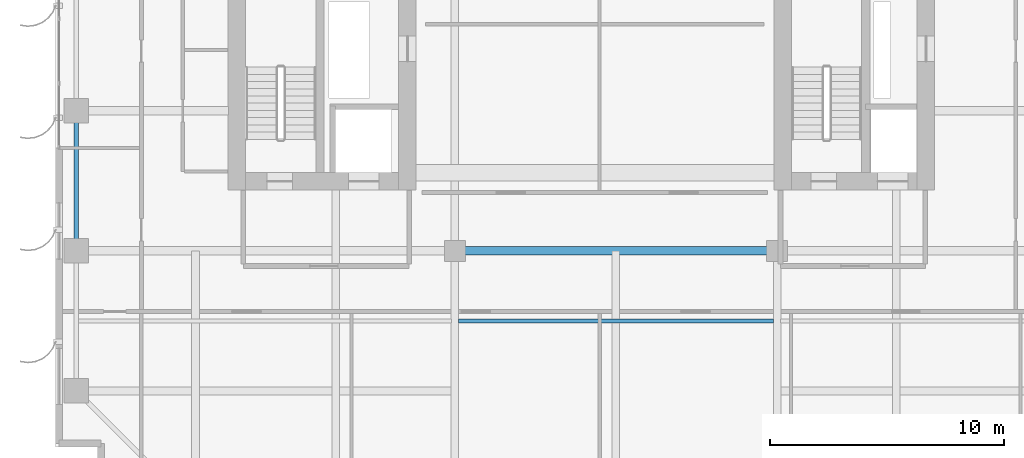
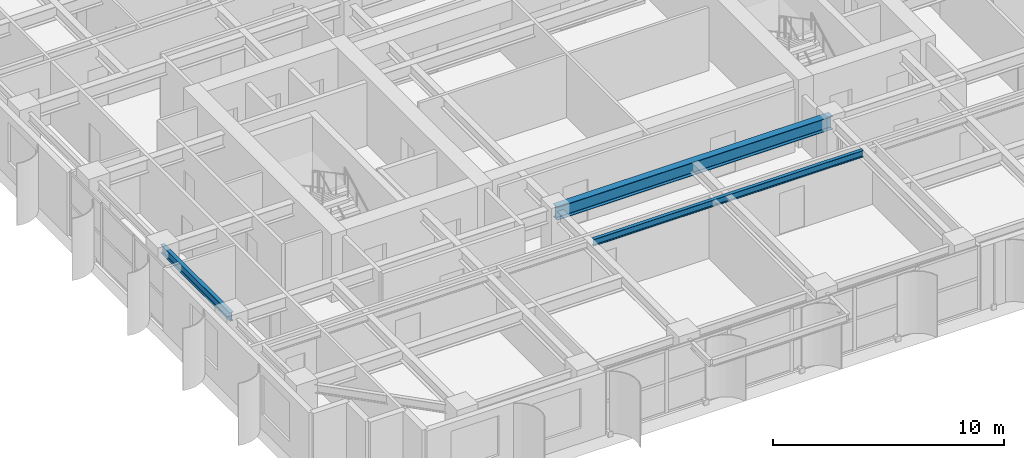
# One storey, part 6 of 23: 3 beams.
"""IFC4 building model written with IfcOpenShell, lengths in metres."""

from ifc_helpers import new_model, si_unit, direction, frame, origin, origin_2d, place, context, subcontext, project, spatial, i_section, extrude, source, transform, mapped, material, material_profile, profile_set, type_object, element, save


model = new_model("IFC4")

# Units and contexts
model_context = context("Model", 3, precision=1e-05, world=origin(), true_north=direction((0.0, 1.0)))
body_context = subcontext(model_context, "Body", "Model", "MODEL_VIEW")
ifc_project = project(units=[si_unit("LENGTHUNIT", "METRE"), si_unit("AREAUNIT", "SQUARE_METRE"), si_unit("VOLUMEUNIT", "CUBIC_METRE"), si_unit("PLANEANGLEUNIT", "RADIAN"), si_unit("MASSUNIT", "GRAM", prefix="KILO")], contexts=[model_context])

# Site, building, storey
site_placement = place(None, origin())
site = spatial("IfcSite", under=ifc_project, at=site_placement, CompositionType="ELEMENT")
building_placement = place(site_placement, origin())
building = spatial("IfcBuilding", under=site, at=building_placement, Name="Khoralis Quay Care Tower", CompositionType="ELEMENT")
storey_placement = place(building_placement, frame((0.0, 0.0, 83.699951171875)))
storey = spatial("IfcBuildingStorey", under=building, at=storey_placement, Name="L21", CompositionType="ELEMENT", Elevation=83.699951171875)

# Beams
ifc_material = material(Name="Steel S355", Category="steel")
ifc_material_profile_1 = material_profile(ifc_material, i_section(OverallWidth=0.18994140625, OverallDepth=0.449951171875, WebThickness=0.009521484375, FlangeThickness=0.0146484375, FilletRadius=0.02099609375, at=origin_2d()), Name="Steel S355")
ifc_profile_set_1 = profile_set([ifc_material_profile_1], Name="Steel S355")
beam_type_1 = type_object("IfcBeamType", Name="BM-IPE450", PredefinedType="SPANDREL", material=ifc_profile_set_1)
shared_shape_1 = source(origin(), body_context, "Body", "SweptSolid", [
    extrude(i_section(OverallWidth=0.18994140625, OverallDepth=0.449951171875, WebThickness=0.009521484375, FlangeThickness=0.0146484375, FilletRadius=0.02099609375, at=origin_2d()), origin(), (0.0, 0.0, 1.0), 6.0),
])
beam_1_placement = place(storey_placement, frame((0.89990234375, 12.0, 3.114990234375), z_axis=(0.0, 1.0, 0.0), x_axis=(-1.0, 0.0, 0.0)))
element("IfcBeam", 1, at=beam_1_placement, inside=storey, type_object=beam_type_1, Name="BM-TSP-L21-12", PredefinedType="SPANDREL", context=body_context, shape_type="MappedRepresentation", body=[
    mapped(shared_shape_1, transform((0.0, 0.0, 0.0), scale=1.0)),
])
ifc_material_profile_2 = material_profile(ifc_material, i_section(OverallWidth=0.35498046875, OverallDepth=0.695068359375, WebThickness=0.015380859375, FlangeThickness=0.02490234375, FilletRadius=0.02001953125, at=origin_2d()), Name="Steel S355")
ifc_profile_set_2 = profile_set([ifc_material_profile_2], Name="Steel S355")
beam_type_2 = type_object("IfcBeamType", Name="BM-W690X217", PredefinedType="BEAM", material=ifc_profile_set_2)
shared_shape_2 = source(origin(), body_context, "Body", "SweptSolid", [
    extrude(i_section(OverallWidth=0.35498046875, OverallDepth=0.695068359375, WebThickness=0.015380859375, FlangeThickness=0.02490234375, FilletRadius=0.02001953125, at=origin_2d()), origin(), (0.0, 0.0, 1.0), 13.7998046875),
])
beam_2_placement = place(storey_placement, frame((17.10009765625, 12.0, 2.992431640625), z_axis=(1.0, 0.0, 0.0), x_axis=(0.0, 1.0, 0.0)))
element("IfcBeam", 2, at=beam_2_placement, inside=storey, type_object=beam_type_2, Name="BM-TGCC-L21-120", PredefinedType="BEAM", context=body_context, shape_type="MappedRepresentation", body=[
    mapped(shared_shape_2, transform((0.0, 0.0, 0.0), scale=1.0)),
])
ifc_material_profile_3 = material_profile(ifc_material, i_section(OverallWidth=0.1708984375, OverallDepth=0.35498046875, WebThickness=0.007080078125, FlangeThickness=0.01171875, FilletRadius=0.012939453125, at=origin_2d()), Name="Steel S355")
ifc_profile_set_3 = profile_set([ifc_material_profile_3], Name="Steel S355")
beam_type_3 = type_object("IfcBeamType", Name="BM-W360X51", PredefinedType="JOIST", material=ifc_profile_set_3)
shared_shape_3 = source(origin(), body_context, "Body", "SweptSolid", [
    extrude(i_section(OverallWidth=0.1708984375, OverallDepth=0.35498046875, WebThickness=0.007080078125, FlangeThickness=0.01171875, FilletRadius=0.012939453125, at=origin_2d()), origin(), (0.0, 0.0, 1.0), 13.4990234375),
])
beam_3_placement = place(storey_placement, frame((17.25048828125, 9.0, 3.16259765625), z_axis=(1.0, 0.0, 0.0), x_axis=(0.0, 1.0, 0.0)))
element("IfcBeam", 3, at=beam_3_placement, inside=storey, type_object=beam_type_3, Name="BM-TJS-L21-27", PredefinedType="JOIST", context=body_context, shape_type="MappedRepresentation", body=[
    mapped(shared_shape_3, transform((0.0, 0.0, 0.0), scale=1.0)),
])

save(model, "model.ifc")
